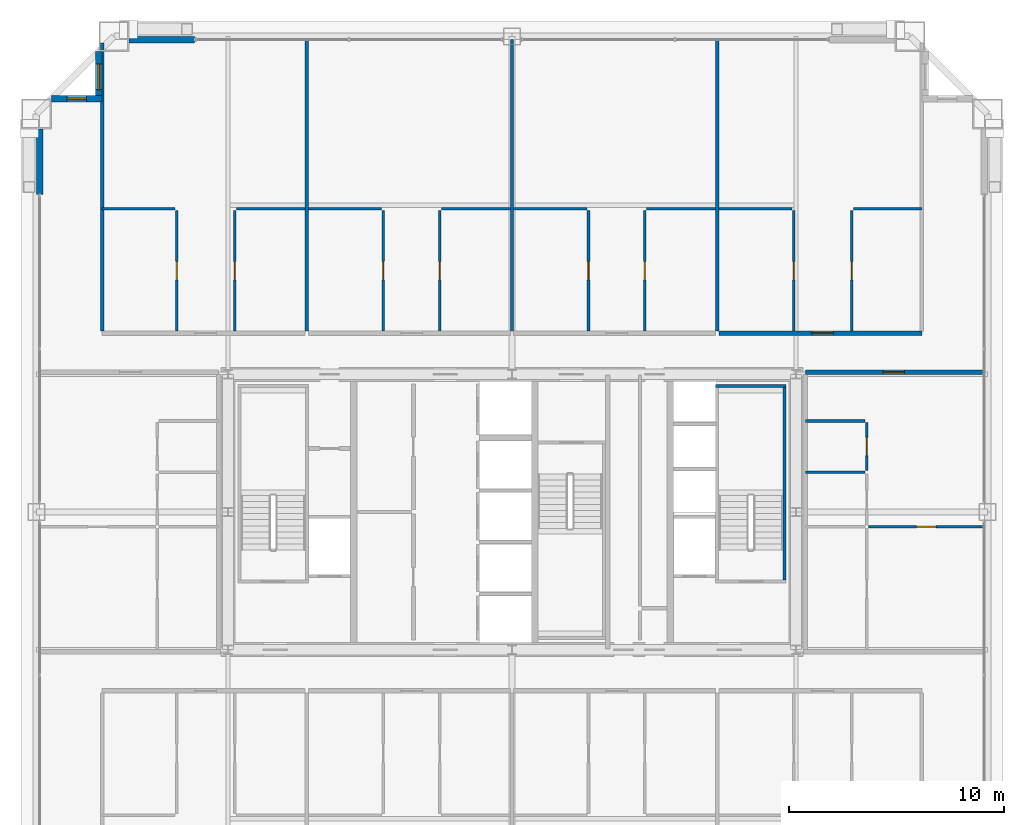
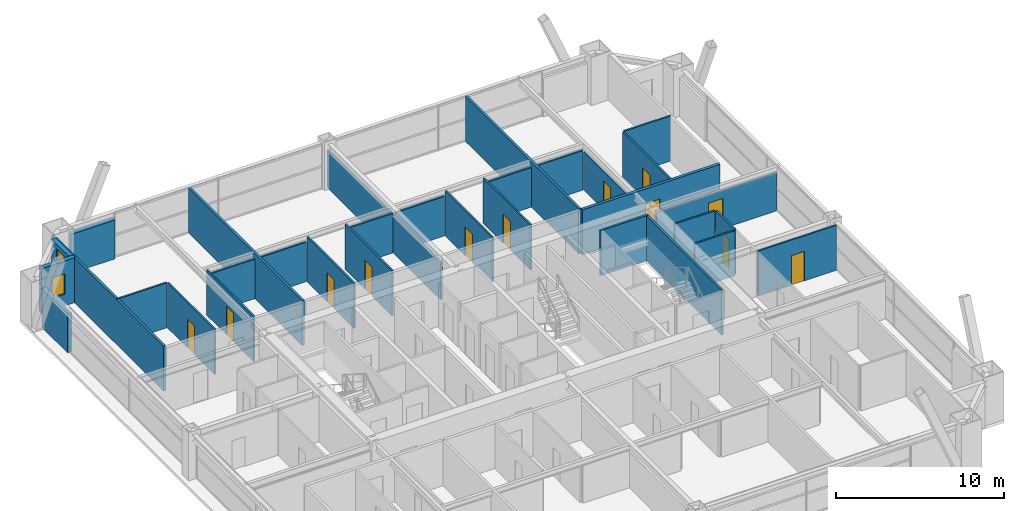
# One storey, part 40 of 42: 32 walls, 12 doors, 2 windows, 14 openings.
"""IFC4 building model written with IfcOpenShell, lengths in metres."""

from ifc_helpers import new_model, si_unit, direction, frame, frame_2d, origin, place, context, subcontext, project, spatial, rectangle, extrude, source, transform, mapped, material, layer, layer_set, type_object, element, fill, save


model = new_model("IFC4")

# Units and contexts
model_context = context("Model", 3, precision=1e-05, world=origin(), true_north=direction((0.0, 1.0)))
body_context = subcontext(model_context, "Body", "Model", "MODEL_VIEW")
ifc_project = project(units=[si_unit("LENGTHUNIT", "METRE"), si_unit("AREAUNIT", "SQUARE_METRE"), si_unit("VOLUMEUNIT", "CUBIC_METRE"), si_unit("PLANEANGLEUNIT", "RADIAN"), si_unit("MASSUNIT", "GRAM", prefix="KILO"), si_unit("THERMODYNAMICTEMPERATUREUNIT", "KELVIN"), si_unit("POWERUNIT", "WATT")], contexts=[model_context])

# Site, building, storey
site_placement = place(None, origin())
site = spatial("IfcSite", under=ifc_project, at=site_placement, CompositionType="ELEMENT")
building_placement = place(site_placement, origin())
building = spatial("IfcBuilding", under=site, at=building_placement, Name="Yuzanri Waterfront Tower", CompositionType="ELEMENT")
storey_placement = place(building_placement, frame((0.0, 0.0, 184.5)))
storey = spatial("IfcBuildingStorey", under=building, at=storey_placement, Name="L48", CompositionType="ELEMENT", Elevation=184.5)

# Wall, opening, door
ifc_material_1 = material(Name="Moisture-Resistant Gypsum Stud Wall", Category="gypsum")
ifc_layer_1 = layer(ifc_material_1, 0.1201171875)
ifc_layer_set_1 = layer_set([ifc_layer_1], Name="Moisture-Resistant Gypsum Stud Wall")
wall_type_1 = type_object("IfcWallType", Name="Bathroom and Kitchen Wet Partition 120", PredefinedType="PARTITIONING", material=ifc_layer_set_1)
wall_1_placement = place(storey_placement, frame((21.419921875, 34.2099609375, 0.0), z_axis=(0.0, 0.0, 1.0), x_axis=(0.0, 1.0, 0.0)))
wall_1 = element("IfcWall", 1, at=wall_1_placement, inside=storey, type_object=wall_type_1, Name="L48 Partition UW-L48-RN1-SUB-1-E", PredefinedType="PARTITIONING", context=body_context, shape_type="SweptSolid", body=[
    extrude(rectangle(XDim=5.610107421875, YDim=0.1201171875, at=frame_2d((2.80517578125, 0.0))), origin(), (0.0, 0.0, 1.0), 3.280029296875),
])
opening_1_placement = place(wall_1_placement, frame((2.3798828125, 0.0, 0.0)))
opening_1 = element("IfcOpeningElement", 2, at=opening_1_placement, cuts=wall_1, Name="Opening ID-0850", PredefinedType="OPENING", context=body_context, shape_type="SweptSolid", body=[
    extrude(rectangle(XDim=0.85009765625, YDim=2.10009765625, at=frame_2d((0.425048828125, 1.050048828125))), frame((0.0, 0.074951171875, 0.0), z_axis=(0.0, -1.0, 0.0), x_axis=(1.0, 0.0, 0.0)), (0.0, 0.0, 1.0), 0.14990234375),
])
ifc_material_2 = material(Name="Moisture-Resistant Lacquered Timber", Category="wood")
door_type_1 = type_object("IfcDoorType", Name="En-Suite Bathroom and Kitchen Swing Door 850x2100", OperationType="NOTDEFINED", PredefinedType="DOOR", material=ifc_material_2)
shared_shape_1 = source(origin(), body_context, "Body", "SweptSolid", [
    extrude(rectangle(XDim=0.85009765625, YDim=2.10009765625, at=frame_2d((0.425048828125, 1.050048828125))), frame((0.0, 0.02490234375, 0.0), z_axis=(0.0, -1.0, 0.0), x_axis=(1.0, 0.0, 0.0)), (0.0, 0.0, 1.0), 0.050048828125),
])
door_1_placement = place(opening_1_placement, origin())
door_1 = element("IfcDoor", 3, at=door_1_placement, inside=storey, type_object=door_type_1, Name="L48 Suite Interior Room Door", OperationType="SINGLE_SWING_RIGHT", OverallHeight=2.10009765625, OverallWidth=0.85009765625, PredefinedType="DOOR", context=body_context, shape_type="MappedRepresentation", body=[
    mapped(shared_shape_1, transform((0.0, 0.0, 0.0), scale=1.0)),
])
fill(opening_1, door_1)

wall_2_placement = place(storey_placement, frame((24.110107421875, 34.2099609375, 0.0), z_axis=(0.0, 0.0, 1.0), x_axis=(0.0, 1.0, 0.0)))
wall_2 = element("IfcWall", 4, at=wall_2_placement, inside=storey, type_object=wall_type_1, Name="L48 Partition UW-L48-RN1-SUB-2-W", PredefinedType="PARTITIONING", context=body_context, shape_type="SweptSolid", body=[
    extrude(rectangle(XDim=5.610107421875, YDim=0.1201171875, at=frame_2d((2.80517578125, 0.0))), origin(), (0.0, 0.0, 1.0), 3.280029296875),
])
opening_2_placement = place(wall_2_placement, frame((2.3798828125, 0.0, 0.0)))
opening_2 = element("IfcOpeningElement", 5, at=opening_2_placement, cuts=wall_2, Name="Opening ID-0850", PredefinedType="OPENING", context=body_context, shape_type="SweptSolid", body=[
    extrude(rectangle(XDim=0.85009765625, YDim=2.10009765625, at=frame_2d((0.425048828125, 1.050048828125))), frame((0.0, 0.074951171875, 0.0), z_axis=(0.0, -1.0, 0.0), x_axis=(1.0, 0.0, 0.0)), (0.0, 0.0, 1.0), 0.14990234375),
])
door_2_placement = place(opening_2_placement, origin())
door_2 = element("IfcDoor", 6, at=door_2_placement, inside=storey, type_object=door_type_1, Name="L48 Suite Interior Room Door", OperationType="SINGLE_SWING_LEFT", OverallHeight=2.10009765625, OverallWidth=0.85009765625, PredefinedType="DOOR", context=body_context, shape_type="MappedRepresentation", body=[
    mapped(shared_shape_1, transform((0.0, 0.0, 0.0), scale=1.0)),
])
fill(opening_2, door_2)

wall_3_placement = place(storey_placement, frame((31.02392578125, 34.2099609375, 0.0), z_axis=(0.0, 0.0, 1.0), x_axis=(0.0, 1.0, 0.0)))
wall_3 = element("IfcWall", 7, at=wall_3_placement, inside=storey, type_object=wall_type_1, Name="L48 Partition UW-L48-RN2-SUB-1-E", PredefinedType="PARTITIONING", context=body_context, shape_type="SweptSolid", body=[
    extrude(rectangle(XDim=5.610107421875, YDim=0.1201171875, at=frame_2d((2.80517578125, 0.0))), origin(), (0.0, 0.0, 1.0), 3.280029296875),
])
opening_3_placement = place(wall_3_placement, frame((2.3798828125, 0.0, 0.0)))
opening_3 = element("IfcOpeningElement", 8, at=opening_3_placement, cuts=wall_3, Name="Opening ID-0850", PredefinedType="OPENING", context=body_context, shape_type="SweptSolid", body=[
    extrude(rectangle(XDim=0.85009765625, YDim=2.10009765625, at=frame_2d((0.425048828125, 1.050048828125))), frame((0.0, 0.074951171875, 0.0), z_axis=(0.0, -1.0, 0.0), x_axis=(1.0, 0.0, 0.0)), (0.0, 0.0, 1.0), 0.14990234375),
])
door_3_placement = place(opening_3_placement, origin())
door_3 = element("IfcDoor", 9, at=door_3_placement, inside=storey, type_object=door_type_1, Name="L48 Suite Interior Room Door", OperationType="SINGLE_SWING_LEFT", OverallHeight=2.10009765625, OverallWidth=0.85009765625, PredefinedType="DOOR", context=body_context, shape_type="MappedRepresentation", body=[
    mapped(shared_shape_1, transform((0.0, 0.0, 0.0), scale=1.0)),
])
fill(opening_3, door_3)

wall_4_placement = place(storey_placement, frame((33.639892578125, 34.2099609375, 0.0), z_axis=(0.0, 0.0, 1.0), x_axis=(0.0, 1.0, 0.0)))
wall_4 = element("IfcWall", 10, at=wall_4_placement, inside=storey, type_object=wall_type_1, Name="L48 Partition UW-L48-RN2-SUB-2-W", PredefinedType="PARTITIONING", context=body_context, shape_type="SweptSolid", body=[
    extrude(rectangle(XDim=5.610107421875, YDim=0.1201171875, at=frame_2d((2.80517578125, 0.0))), origin(), (0.0, 0.0, 1.0), 3.280029296875),
])
opening_4_placement = place(wall_4_placement, frame((2.3798828125, 0.0, 0.0)))
opening_4 = element("IfcOpeningElement", 11, at=opening_4_placement, cuts=wall_4, Name="Opening ID-0850", PredefinedType="OPENING", context=body_context, shape_type="SweptSolid", body=[
    extrude(rectangle(XDim=0.85009765625, YDim=2.10009765625, at=frame_2d((0.425048828125, 1.050048828125))), frame((0.0, 0.074951171875, 0.0), z_axis=(0.0, -1.0, 0.0), x_axis=(1.0, 0.0, 0.0)), (0.0, 0.0, 1.0), 0.14990234375),
])
door_4_placement = place(opening_4_placement, origin())
door_4 = element("IfcDoor", 12, at=door_4_placement, inside=storey, type_object=door_type_1, Name="L48 Suite Interior Room Door", OperationType="SINGLE_SWING_RIGHT", OverallHeight=2.10009765625, OverallWidth=0.85009765625, PredefinedType="DOOR", context=body_context, shape_type="MappedRepresentation", body=[
    mapped(shared_shape_1, transform((0.0, 0.0, 0.0), scale=1.0)),
])
fill(opening_4, door_4)

wall_5_placement = place(storey_placement, frame((40.553955078125, 34.2099609375, 0.0), z_axis=(0.0, 0.0, 1.0), x_axis=(0.0, 1.0, 0.0)))
wall_5 = element("IfcWall", 13, at=wall_5_placement, inside=storey, type_object=wall_type_1, Name="L48 Partition UW-L48-RN3-SUB-1-E", PredefinedType="PARTITIONING", context=body_context, shape_type="SweptSolid", body=[
    extrude(rectangle(XDim=5.610107421875, YDim=0.1201171875, at=frame_2d((2.80517578125, 0.0))), origin(), (0.0, 0.0, 1.0), 3.280029296875),
])
opening_5_placement = place(wall_5_placement, frame((2.3798828125, 0.0, 0.0)))
opening_5 = element("IfcOpeningElement", 14, at=opening_5_placement, cuts=wall_5, Name="Opening ID-0850", PredefinedType="OPENING", context=body_context, shape_type="SweptSolid", body=[
    extrude(rectangle(XDim=0.85009765625, YDim=2.10009765625, at=frame_2d((0.425048828125, 1.050048828125))), frame((0.0, 0.074951171875, 0.0), z_axis=(0.0, -1.0, 0.0), x_axis=(1.0, 0.0, 0.0)), (0.0, 0.0, 1.0), 0.14990234375),
])
door_5_placement = place(opening_5_placement, origin())
door_5 = element("IfcDoor", 15, at=door_5_placement, inside=storey, type_object=door_type_1, Name="L48 Suite Interior Room Door", OperationType="SINGLE_SWING_RIGHT", OverallHeight=2.10009765625, OverallWidth=0.85009765625, PredefinedType="DOOR", context=body_context, shape_type="MappedRepresentation", body=[
    mapped(shared_shape_1, transform((0.0, 0.0, 0.0), scale=1.0)),
])
fill(opening_5, door_5)

wall_6_placement = place(storey_placement, frame((43.169921875, 34.2099609375, 0.0), z_axis=(0.0, 0.0, 1.0), x_axis=(0.0, 1.0, 0.0)))
wall_6 = element("IfcWall", 16, at=wall_6_placement, inside=storey, type_object=wall_type_1, Name="L48 Partition UW-L48-RN3-SUB-2-W", PredefinedType="PARTITIONING", context=body_context, shape_type="SweptSolid", body=[
    extrude(rectangle(XDim=5.610107421875, YDim=0.1201171875, at=frame_2d((2.80517578125, 0.0))), origin(), (0.0, 0.0, 1.0), 3.280029296875),
])
opening_6_placement = place(wall_6_placement, frame((2.3798828125, 0.0, 0.0)))
opening_6 = element("IfcOpeningElement", 17, at=opening_6_placement, cuts=wall_6, Name="Opening ID-0850", PredefinedType="OPENING", context=body_context, shape_type="SweptSolid", body=[
    extrude(rectangle(XDim=0.85009765625, YDim=2.10009765625, at=frame_2d((0.425048828125, 1.050048828125))), frame((0.0, 0.074951171875, 0.0), z_axis=(0.0, -1.0, 0.0), x_axis=(1.0, 0.0, 0.0)), (0.0, 0.0, 1.0), 0.14990234375),
])
door_6_placement = place(opening_6_placement, origin())
door_6 = element("IfcDoor", 18, at=door_6_placement, inside=storey, type_object=door_type_1, Name="L48 Suite Interior Room Door", OperationType="SINGLE_SWING_LEFT", OverallHeight=2.10009765625, OverallWidth=0.85009765625, PredefinedType="DOOR", context=body_context, shape_type="MappedRepresentation", body=[
    mapped(shared_shape_1, transform((0.0, 0.0, 0.0), scale=1.0)),
])
fill(opening_6, door_6)

wall_7_placement = place(storey_placement, frame((50.090087890625, 34.2099609375, 0.0), z_axis=(0.0, 0.0, 1.0), x_axis=(0.0, 1.0, 0.0)))
wall_7 = element("IfcWall", 19, at=wall_7_placement, inside=storey, type_object=wall_type_1, Name="L48 Partition UW-L48-RN4-SUB-1-E", PredefinedType="PARTITIONING", context=body_context, shape_type="SweptSolid", body=[
    extrude(rectangle(XDim=5.610107421875, YDim=0.1201171875, at=frame_2d((2.80517578125, 0.0))), origin(), (0.0, 0.0, 1.0), 2.77490234375),
])
opening_7_placement = place(wall_7_placement, frame((2.3798828125, 0.0, 0.0)))
opening_7 = element("IfcOpeningElement", 20, at=opening_7_placement, cuts=wall_7, Name="Opening ID-0850", PredefinedType="OPENING", context=body_context, shape_type="SweptSolid", body=[
    extrude(rectangle(XDim=0.85009765625, YDim=2.10009765625, at=frame_2d((0.425048828125, 1.050048828125))), frame((0.0, 0.074951171875, 0.0), z_axis=(0.0, -1.0, 0.0), x_axis=(1.0, 0.0, 0.0)), (0.0, 0.0, 1.0), 0.14990234375),
])
door_7_placement = place(opening_7_placement, origin())
door_7 = element("IfcDoor", 21, at=door_7_placement, inside=storey, type_object=door_type_1, Name="L48 Suite Interior Room Door", OperationType="SINGLE_SWING_LEFT", OverallHeight=2.10009765625, OverallWidth=0.85009765625, PredefinedType="DOOR", context=body_context, shape_type="MappedRepresentation", body=[
    mapped(shared_shape_1, transform((0.0, 0.0, 0.0), scale=1.0)),
])
fill(opening_7, door_7)

wall_8_placement = place(storey_placement, frame((52.780029296875, 34.2099609375, 0.0), z_axis=(0.0, 0.0, 1.0), x_axis=(0.0, 1.0, 0.0)))
wall_8 = element("IfcWall", 22, at=wall_8_placement, inside=storey, type_object=wall_type_1, Name="L48 Partition UW-L48-RN4-SUB-2-W", PredefinedType="PARTITIONING", context=body_context, shape_type="SweptSolid", body=[
    extrude(rectangle(XDim=5.610107421875, YDim=0.1201171875, at=frame_2d((2.80517578125, 0.0))), origin(), (0.0, 0.0, 1.0), 3.280029296875),
])
opening_8_placement = place(wall_8_placement, frame((2.3798828125, 0.0, 0.0)))
opening_8 = element("IfcOpeningElement", 23, at=opening_8_placement, cuts=wall_8, Name="Opening ID-0850", PredefinedType="OPENING", context=body_context, shape_type="SweptSolid", body=[
    extrude(rectangle(XDim=0.85009765625, YDim=2.10009765625, at=frame_2d((0.425048828125, 1.050048828125))), frame((0.0, 0.074951171875, 0.0), z_axis=(0.0, -1.0, 0.0), x_axis=(1.0, 0.0, 0.0)), (0.0, 0.0, 1.0), 0.14990234375),
])
door_8_placement = place(opening_8_placement, origin())
door_8 = element("IfcDoor", 24, at=door_8_placement, inside=storey, type_object=door_type_1, Name="L48 Suite Interior Room Door", OperationType="SINGLE_SWING_RIGHT", OverallHeight=2.10009765625, OverallWidth=0.85009765625, PredefinedType="DOOR", context=body_context, shape_type="MappedRepresentation", body=[
    mapped(shared_shape_1, transform((0.0, 0.0, 0.0), scale=1.0)),
])
fill(opening_8, door_8)

wall_9_placement = place(storey_placement, frame((53.47998046875, 27.73193359375, 0.0), z_axis=(0.0, 0.0, 1.0), x_axis=(0.0, 1.0, 0.0)))
wall_9 = element("IfcWall", 25, at=wall_9_placement, inside=storey, type_object=wall_type_1, Name="L48 Partition UW-L48-RE1-SUB-2-E", PredefinedType="PARTITIONING", context=body_context, shape_type="SweptSolid", body=[
    extrude(rectangle(XDim=2.218994140625, YDim=0.1201171875, at=frame_2d((1.109375, 0.0))), origin(), (0.0, 0.0, 1.0), 3.280029296875),
])
opening_9_placement = place(wall_9_placement, frame((0.6845703125, 0.0, 0.0)))
opening_9 = element("IfcOpeningElement", 26, at=opening_9_placement, cuts=wall_9, Name="Opening ID-0850", PredefinedType="OPENING", context=body_context, shape_type="SweptSolid", body=[
    extrude(rectangle(XDim=0.85009765625, YDim=2.10009765625, at=frame_2d((0.425048828125, 1.050048828125))), frame((0.0, 0.074951171875, 0.0), z_axis=(0.0, -1.0, 0.0), x_axis=(1.0, 0.0, 0.0)), (0.0, 0.0, 1.0), 0.14990234375),
])
door_9_placement = place(opening_9_placement, origin())
door_9 = element("IfcDoor", 27, at=door_9_placement, inside=storey, type_object=door_type_1, Name="L48 Suite Interior Room Door", OperationType="SINGLE_SWING_RIGHT", OverallHeight=2.10009765625, OverallWidth=0.85009765625, PredefinedType="DOOR", context=body_context, shape_type="MappedRepresentation", body=[
    mapped(shared_shape_1, transform((0.0, 0.0, 0.0), scale=1.0)),
])
fill(opening_9, door_9)

wall_10_placement = place(storey_placement, frame((53.56005859375, 25.113037109375, 0.0), z_axis=(0.0, 0.0, 1.0), x_axis=(1.0, 0.0, 0.0)))
wall_10 = element("IfcWall", 28, at=wall_10_placement, inside=storey, type_object=wall_type_1, Name="L48 Partition UW-L48-RE1-SUB-3-N", PredefinedType="PARTITIONING", context=body_context, shape_type="SweptSolid", body=[
    extrude(rectangle(XDim=5.389892578125, YDim=0.1201171875, at=frame_2d((2.69482421875, 0.0))), origin(), (0.0, 0.0, 1.0), 3.280029296875),
])
opening_10_placement = place(wall_10_placement, frame((2.2451171875, 0.0, 0.0)))
opening_10 = element("IfcOpeningElement", 29, at=opening_10_placement, cuts=wall_10, Name="Opening ID-0900", PredefinedType="OPENING", context=body_context, shape_type="SweptSolid", body=[
    extrude(rectangle(XDim=0.89990234375, YDim=2.14990234375, at=frame_2d((0.449951171875, 1.074951171875))), frame((0.0, 0.074951171875, 0.0), z_axis=(0.0, -1.0, 0.0), x_axis=(1.0, 0.0, 0.0)), (0.0, 0.0, 1.0), 0.14990234375),
])
ifc_material_3 = material(Name="Stained Walnut Veneer Timber", Category="wood")
door_type_2 = type_object("IfcDoorType", Name="Bedroom and Study Interior Swing Door 900x2150", OperationType="NOTDEFINED", PredefinedType="DOOR", material=ifc_material_3)
shared_shape_2 = source(origin(), body_context, "Body", "SweptSolid", [
    extrude(rectangle(XDim=0.89990234375, YDim=2.14990234375, at=frame_2d((0.449951171875, 1.074951171875))), frame((0.0, 0.02490234375, 0.0), z_axis=(0.0, -1.0, 0.0), x_axis=(1.0, 0.0, 0.0)), (0.0, 0.0, 1.0), 0.050048828125),
])
door_10_placement = place(opening_10_placement, origin())
door_10 = element("IfcDoor", 30, at=door_10_placement, inside=storey, type_object=door_type_2, Name="L48 Suite Interior Room Door", OperationType="SINGLE_SWING_LEFT", OverallHeight=2.14990234375, OverallWidth=0.89990234375, PredefinedType="DOOR", context=body_context, shape_type="MappedRepresentation", body=[
    mapped(shared_shape_2, transform((0.0, 0.0, 0.0), scale=1.0)),
])
fill(opening_10, door_10)

# Wall, opening, window
ifc_material_4 = material(Name="Honed Chongqing Dark Basalt Stone", Category="masonry")
ifc_layer_2 = layer(ifc_material_4, 0.300048828125)
ifc_layer_set_2 = layer_set([ifc_layer_2], Name="Honed Chongqing Dark Basalt Stone")
wall_type_2 = type_object("IfcWallType", Name="Bronze Rainscreen Insulated Spandrel Portal Wall 300", PredefinedType="SOLIDWALL", material=ifc_layer_set_2)
wall_11_placement = place(storey_placement, frame((17.949951171875, 45.0, 0.0), z_axis=(0.0, 0.0, 1.0), x_axis=(-1.0, 0.0, 0.0)))
wall_11 = element("IfcWall", 31, at=wall_11_placement, inside=storey, type_object=wall_type_2, Name="L48 Notched Corner Masonry Wall NW-X", PredefinedType="SOLIDWALL", context=body_context, shape_type="SweptSolid", body=[
    extrude(rectangle(XDim=2.349853515625, YDim=0.300048828125, at=frame_2d((1.1748046875, 0.0))), origin(), (0.0, 0.0, 1.0), 3.280029296875),
])
opening_11_placement = place(wall_11_placement, frame((0.72509765625, 0.0, 0.85009765625)))
opening_11 = element("IfcOpeningElement", 32, at=opening_11_placement, cuts=wall_11, Name="Opening WN-05", PredefinedType="OPENING", context=body_context, shape_type="SweptSolid", body=[
    extrude(rectangle(XDim=0.89990234375, YDim=1.5, at=frame_2d((0.449951171875, 0.75))), frame((0.0, 0.1650390625, 0.0), z_axis=(0.0, -1.0, 0.0), x_axis=(1.0, 0.0, 0.0)), (0.0, 0.0, 1.0), 0.329833984375),
])
ifc_material_5 = material(Name="Double-Silver Low-E Insulated Glass", Category="glass")
window_type_1 = type_object("IfcWindowType", Name="Anodized Bronze Service and Stairwell Smoke-Vent Window 900x1500", PartitioningType="SINGLE_PANEL", PredefinedType="WINDOW", material=ifc_material_5)
shared_shape_3 = source(origin(), body_context, "Body", "SweptSolid", [
    extrude(rectangle(XDim=0.89990234375, YDim=1.5, at=frame_2d((0.449951171875, 0.75))), frame((0.0, 0.030029296875, 0.0), z_axis=(0.0, -1.0, 0.0), x_axis=(1.0, 0.0, 0.0)), (0.0, 0.0, 1.0), 0.06005859375),
])
window_1_placement = place(opening_11_placement, origin())
window_1 = element("IfcWindow", 33, at=window_1_placement, inside=storey, type_object=window_type_1, Name="L48 Notched Corner Window NW-X", OverallHeight=1.5, OverallWidth=0.89990234375, PartitioningType="SINGLE_PANEL", PredefinedType="WINDOW", context=body_context, shape_type="MappedRepresentation", body=[
    mapped(shared_shape_3, transform((0.0, 0.0, 0.0), scale=1.0)),
])
fill(opening_11, window_1)

wall_12_placement = place(storey_placement, frame((17.800048828125, 47.199951171875, 0.0), z_axis=(0.0, 0.0, 1.0), x_axis=(0.0, -1.0, 0.0)))
wall_12 = element("IfcWall", 34, at=wall_12_placement, inside=storey, type_object=wall_type_2, Name="L48 Notched Corner Masonry Wall NW-Y", PredefinedType="SOLIDWALL", context=body_context, shape_type="SweptSolid", body=[
    extrude(rectangle(XDim=2.349853515625, YDim=0.300048828125, at=frame_2d((1.1748046875, 0.0))), origin(), (0.0, 0.0, 1.0), 3.280029296875),
])
opening_12_placement = place(wall_12_placement, frame((0.574951171875, 0.0, 0.85009765625)))
opening_12 = element("IfcOpeningElement", 35, at=opening_12_placement, cuts=wall_12, Name="Opening WN-02", PredefinedType="OPENING", context=body_context, shape_type="SweptSolid", body=[
    extrude(rectangle(XDim=1.199951171875, YDim=2.10009765625, at=frame_2d((0.60009765625, 1.050048828125))), frame((0.0, 0.1650390625, 0.0), z_axis=(0.0, -1.0, 0.0), x_axis=(1.0, 0.0, 0.0)), (0.0, 0.0, 1.0), 0.329833984375),
])
ifc_material_6 = material(Name="Double-Silver Low-E Insulated Glass", Category="glass")
window_type_2 = type_object("IfcWindowType", Name="Anodized Bronze Notched Corner Deep-Set Slot Window 1200x2100", PartitioningType="SINGLE_PANEL", PredefinedType="WINDOW", material=ifc_material_6)
shared_shape_4 = source(origin(), body_context, "Body", "SweptSolid", [
    extrude(rectangle(XDim=1.199951171875, YDim=2.10009765625, at=frame_2d((0.60009765625, 1.050048828125))), frame((0.0, 0.030029296875, 0.0), z_axis=(0.0, -1.0, 0.0), x_axis=(1.0, 0.0, 0.0)), (0.0, 0.0, 1.0), 0.06005859375),
])
window_2_placement = place(opening_12_placement, origin())
window_2 = element("IfcWindow", 36, at=window_2_placement, inside=storey, type_object=window_type_2, Name="L48 Notched Corner Window NW-Y", OverallHeight=2.10009765625, OverallWidth=1.199951171875, PartitioningType="SINGLE_PANEL", PredefinedType="WINDOW", context=body_context, shape_type="MappedRepresentation", body=[
    mapped(shared_shape_4, transform((0.0, 0.0, 0.0), scale=1.0)),
])
fill(opening_12, window_2)

# Wall, opening, door
ifc_material_7 = material(Name="Autoclaved Aerated Concrete Blockwork", Category="masonry")
ifc_layer_3 = layer(ifc_material_7, 0.199951171875)
ifc_layer_set_3 = layer_set([ifc_layer_3], Name="Autoclaved Aerated Concrete Blockwork")
wall_type_3 = type_object("IfcWallType", Name="Corridor and Unit Party Fire Wall 200", PredefinedType="PARTITIONING", material=ifc_layer_set_3)
wall_13_placement = place(storey_placement, frame((46.610107421875, 34.110107421875, 0.0), z_axis=(0.0, 0.0, 1.0), x_axis=(1.0, 0.0, 0.0)))
wall_13 = element("IfcWall", 37, at=wall_13_placement, inside=storey, type_object=wall_type_3, Name="L48 Partition UW-L48-RN4-CS", PredefinedType="PARTITIONING", context=body_context, shape_type="SweptSolid", body=[
    extrude(rectangle(XDim=9.449951171875, YDim=0.199951171875, at=frame_2d((4.72509765625, 0.0))), origin(), (0.0, 0.0, 1.0), 3.280029296875),
])
opening_13_placement = place(wall_13_placement, frame((4.324951171875, 0.0, 0.0)))
opening_13 = element("IfcOpeningElement", 38, at=opening_13_placement, cuts=wall_13, Name="Opening FD-1000", PredefinedType="OPENING", context=body_context, shape_type="SweptSolid", body=[
    extrude(rectangle(XDim=1.0, YDim=2.199951171875, at=frame_2d((0.5, 1.10009765625))), frame((0.0, 0.11474609375, 0.0), z_axis=(0.0, -1.0, 0.0), x_axis=(1.0, 0.0, 0.0)), (0.0, 0.0, 1.0), 0.229736328125),
])
ifc_material_8 = material(Name="Engineered Oak Fire-Rated Timber", Category="wood")
door_type_3 = type_object("IfcDoorType", Name="Guestroom and Apartment Entrance Fire Door 1000x2200", OperationType="NOTDEFINED", PredefinedType="DOOR", material=ifc_material_8)
shared_shape_5 = source(origin(), body_context, "Body", "SweptSolid", [
    extrude(rectangle(XDim=1.0, YDim=2.199951171875, at=frame_2d((0.5, 1.10009765625))), frame((0.0, 0.02490234375, 0.0), z_axis=(0.0, -1.0, 0.0), x_axis=(1.0, 0.0, 0.0)), (0.0, 0.0, 1.0), 0.050048828125),
])
door_11_placement = place(opening_13_placement, origin())
door_11 = element("IfcDoor", 39, at=door_11_placement, inside=storey, type_object=door_type_3, Name="L48 Studio Living and Sleeping Room Entrance Door", OperationType="SINGLE_SWING_RIGHT", OverallHeight=2.199951171875, OverallWidth=1.0, PredefinedType="DOOR", context=body_context, shape_type="MappedRepresentation", body=[
    mapped(shared_shape_5, transform((0.0, 0.0, 0.0), scale=1.0)),
])
fill(opening_13, door_11)

wall_14_placement = place(storey_placement, frame((50.64990234375, 32.2900390625, 0.0), z_axis=(0.0, 0.0, 1.0), x_axis=(1.0, 0.0, 0.0)))
wall_14 = element("IfcWall", 40, at=wall_14_placement, inside=storey, type_object=wall_type_3, Name="L48 Partition UW-L48-RE1-CN", PredefinedType="PARTITIONING", context=body_context, shape_type="SweptSolid", body=[
    extrude(rectangle(XDim=8.300048828125, YDim=0.199951171875, at=frame_2d((4.14990234375, 0.0))), origin(), (0.0, 0.0, 1.0), 2.77490234375),
])
opening_14_placement = place(wall_14_placement, frame((3.5849609375, 0.0, 0.0)))
opening_14 = element("IfcOpeningElement", 41, at=opening_14_placement, cuts=wall_14, Name="Opening FD-1000", PredefinedType="OPENING", context=body_context, shape_type="SweptSolid", body=[
    extrude(rectangle(XDim=1.0, YDim=2.199951171875, at=frame_2d((0.5, 1.10009765625))), frame((0.0, 0.11474609375, 0.0), z_axis=(0.0, -1.0, 0.0), x_axis=(1.0, 0.0, 0.0)), (0.0, 0.0, 1.0), 0.229736328125),
])
door_12_placement = place(opening_14_placement, origin())
door_12 = element("IfcDoor", 42, at=door_12_placement, inside=storey, type_object=door_type_3, Name="L48 Wing Residence Living and Dining Room Entrance Door", OperationType="SINGLE_SWING_RIGHT", OverallHeight=2.199951171875, OverallWidth=1.0, PredefinedType="DOOR", context=body_context, shape_type="MappedRepresentation", body=[
    mapped(shared_shape_5, transform((0.0, 0.0, 0.0), scale=1.0)),
])
fill(opening_14, door_12)

# Walls
shared_shape_6 = source(origin(), body_context, "Body", "SweptSolid", [
    extrude(rectangle(XDim=3.050048828125, YDim=0.300048828125, at=frame_2d((1.52490234375, 0.0))), origin(), (0.0, 0.0, 1.0), 2.8349609375),
])
for number, where, z_axis, x_axis, name in (
    (43, (19.199951171875, 47.75, 0.0), (0.0, 0.0, 1.0), (1.0, 0.0, 0.0), "L48 N Left Braced Masonry Shoulder"),
    (44, (15.050048828125, 40.550048828125, 0.0), (0.0, 0.0, 1.0), (0.0, 1.0, 0.0), "L48 W Right Braced Masonry Shoulder"),
):
    element("IfcWall", number, at=place(storey_placement, frame(where, z_axis=z_axis, x_axis=x_axis)), inside=storey, type_object=wall_type_2, Name=name, PredefinedType="SOLIDWALL", context=body_context, shape_type="MappedRepresentation", body=[
        mapped(shared_shape_6, transform((0.0, 0.0, 0.0), scale=1.0)),
    ])
ifc_material_9 = material(Name="Concrete C40", Category="concrete")
ifc_layer_4 = layer(ifc_material_9, 0.139892578125)
ifc_layer_set_4 = layer_set([ifc_layer_4], Name="Concrete C40")
wall_type_4 = type_object("IfcWallType", Name="Core Stair Liner and Hoistway Shaft Wall 140", PredefinedType="SOLIDWALL", material=ifc_layer_set_4)
shared_shape_7 = source(origin(), body_context, "Body", "SweptSolid", [
    extrude(rectangle(XDim=3.280029296875, YDim=0.139892578125, at=frame_2d((1.64013671875, 0.0))), origin(), (0.0, 0.0, 1.0), 3.280029296875),
])
wall_15_placement = place(storey_placement, frame((46.4599609375, 31.64990234375, 0.0), z_axis=(0.0, 0.0, 1.0), x_axis=(1.0, 0.0, 0.0)))
element("IfcWall", 45, at=wall_15_placement, inside=storey, type_object=wall_type_4, Name="L48 Stair ST-02 North Shaft Wall", PredefinedType="SOLIDWALL", context=body_context, shape_type="MappedRepresentation", body=[
    mapped(shared_shape_7, transform((0.0, 0.0, 0.0), scale=1.0)),
])
shared_shape_8 = source(origin(), body_context, "Body", "SweptSolid", [
    extrude(rectangle(XDim=8.940185546875, YDim=0.139892578125, at=frame_2d((4.47021484375, 0.0))), origin(), (0.0, 0.0, 1.0), 3.280029296875),
])
wall_16_placement = place(storey_placement, frame((49.669921875, 22.639892578125, 0.0), z_axis=(0.0, 0.0, 1.0), x_axis=(0.0, 1.0, 0.0)))
element("IfcWall", 46, at=wall_16_placement, inside=storey, type_object=wall_type_4, Name="L48 Stair ST-02 East Shaft Wall", PredefinedType="SOLIDWALL", context=body_context, shape_type="MappedRepresentation", body=[
    mapped(shared_shape_8, transform((0.0, 0.0, 0.0), scale=1.0)),
])
shared_shape_9 = source(origin(), body_context, "Body", "SweptSolid", [
    extrude(rectangle(XDim=3.400146484375, YDim=0.1201171875, at=frame_2d((1.7001953125, 0.0))), origin(), (0.0, 0.0, 1.0), 3.280029296875),
])
wall_17_placement = place(storey_placement, frame((17.93994140625, 39.89990234375, 0.0), z_axis=(0.0, 0.0, 1.0), x_axis=(1.0, 0.0, 0.0)))
element("IfcWall", 47, at=wall_17_placement, inside=storey, type_object=wall_type_1, Name="L48 Partition UW-L48-RN1-SUB-1-N", PredefinedType="PARTITIONING", context=body_context, shape_type="MappedRepresentation", body=[
    mapped(shared_shape_9, transform((0.0, 0.0, 0.0), scale=1.0)),
])
shared_shape_10 = source(origin(), body_context, "Body", "SweptSolid", [
    extrude(rectangle(XDim=3.199951171875, YDim=0.1201171875, at=frame_2d((1.60009765625, 0.0))), origin(), (0.0, 0.0, 1.0), 2.875),
])
for number, where, z_axis, x_axis, name in (
    (48, (24.18994140625, 39.89990234375, 0.0), (0.0, 0.0, 1.0), (1.0, 0.0, 0.0), "L48 Partition UW-L48-RN1-SUB-2-N"),
    (49, (33.719970703125, 39.89990234375, 0.0), (0.0, 0.0, 1.0), (1.0, 0.0, 0.0), "L48 Partition UW-L48-RN2-SUB-2-N"),
    (50, (43.25, 39.89990234375, 0.0), (0.0, 0.0, 1.0), (1.0, 0.0, 0.0), "L48 Partition UW-L48-RN3-SUB-2-N"),
):
    element("IfcWall", number, at=place(storey_placement, frame(where, z_axis=z_axis, x_axis=x_axis)), inside=storey, type_object=wall_type_1, Name=name, PredefinedType="PARTITIONING", context=body_context, shape_type="MappedRepresentation", body=[
        mapped(shared_shape_10, transform((0.0, 0.0, 0.0), scale=1.0)),
    ])
shared_shape_11 = source(origin(), body_context, "Body", "SweptSolid", [
    extrude(rectangle(XDim=3.39404296875, YDim=0.1201171875, at=frame_2d((1.697021484375, 0.0))), origin(), (0.0, 0.0, 1.0), 2.875),
])
for number, where, z_axis, x_axis, name in (
    (51, (27.550048828125, 39.89990234375, 0.0), (0.0, 0.0, 1.0), (1.0, 0.0, 0.0), "L48 Partition UW-L48-RN2-SUB-1-N"),
    (52, (37.080078125, 39.89990234375, 0.0), (0.0, 0.0, 1.0), (1.0, 0.0, 0.0), "L48 Partition UW-L48-RN3-SUB-1-N"),
):
    element("IfcWall", number, at=place(storey_placement, frame(where, z_axis=z_axis, x_axis=x_axis)), inside=storey, type_object=wall_type_1, Name=name, PredefinedType="PARTITIONING", context=body_context, shape_type="MappedRepresentation", body=[
        mapped(shared_shape_11, transform((0.0, 0.0, 0.0), scale=1.0)),
    ])
shared_shape_12 = source(origin(), body_context, "Body", "SweptSolid", [
    extrude(rectangle(XDim=3.39990234375, YDim=0.1201171875, at=frame_2d((1.699951171875, 0.0))), origin(), (0.0, 0.0, 1.0), 2.875),
])
wall_18_placement = place(storey_placement, frame((46.610107421875, 39.89990234375, 0.0), z_axis=(0.0, 0.0, 1.0), x_axis=(1.0, 0.0, 0.0)))
element("IfcWall", 53, at=wall_18_placement, inside=storey, type_object=wall_type_1, Name="L48 Partition UW-L48-RN4-SUB-1-N", PredefinedType="PARTITIONING", context=body_context, shape_type="MappedRepresentation", body=[
    mapped(shared_shape_12, transform((0.0, 0.0, 0.0), scale=1.0)),
])
shared_shape_13 = source(origin(), body_context, "Body", "SweptSolid", [
    extrude(rectangle(XDim=3.199951171875, YDim=0.1201171875, at=frame_2d((1.60009765625, 0.0))), origin(), (0.0, 0.0, 1.0), 3.280029296875),
])
wall_19_placement = place(storey_placement, frame((52.860107421875, 39.89990234375, 0.0), z_axis=(0.0, 0.0, 1.0), x_axis=(1.0, 0.0, 0.0)))
element("IfcWall", 54, at=wall_19_placement, inside=storey, type_object=wall_type_1, Name="L48 Partition UW-L48-RN4-SUB-2-N", PredefinedType="PARTITIONING", context=body_context, shape_type="MappedRepresentation", body=[
    mapped(shared_shape_13, transform((0.0, 0.0, 0.0), scale=1.0)),
])
ifc_material_10 = material(Name="Gypsum Fireboard Acoustic Stud Wall", Category="gypsum")
ifc_layer_5 = layer(ifc_material_10, 0.159912109375)
ifc_layer_set_5 = layer_set([ifc_layer_5], Name="Gypsum Fireboard Acoustic Stud Wall")
wall_type_5 = type_object("IfcWallType", Name="Acoustic Suite Demising Partition 160", PredefinedType="PARTITIONING", material=ifc_layer_set_5)
shared_shape_14 = source(origin(), body_context, "Body", "SweptSolid", [
    extrude(rectangle(XDim=13.5400390625, YDim=0.159912109375, at=frame_2d((6.77001953125, 0.0))), origin(), (0.0, 0.0, 1.0), 3.280029296875),
])
for number, where, z_axis, x_axis, name in (
    (55, (27.469970703125, 34.2099609375, 0.0), (0.0, 0.0, 1.0), (0.0, 1.0, 0.0), "L48-RN1 Party Wall"),
    (56, (46.530029296875, 34.2099609375, 0.0), (0.0, 0.0, 1.0), (0.0, 1.0, 0.0), "L48-RN3 Party Wall"),
):
    element("IfcWall", number, at=place(storey_placement, frame(where, z_axis=z_axis, x_axis=x_axis)), inside=storey, type_object=wall_type_5, Name=name, PredefinedType="PARTITIONING", context=body_context, shape_type="MappedRepresentation", body=[
        mapped(shared_shape_14, transform((0.0, 0.0, 0.0), scale=1.0)),
    ])
shared_shape_15 = source(origin(), body_context, "Body", "SweptSolid", [
    extrude(rectangle(XDim=13.5400390625, YDim=0.159912109375, at=frame_2d((6.77001953125, 0.0))), origin(), (0.0, 0.0, 1.0), 2.68701171875),
])
wall_20_placement = place(storey_placement, frame((37.0, 34.2099609375, 0.0), z_axis=(0.0, 0.0, 1.0), x_axis=(0.0, 1.0, 0.0)))
element("IfcWall", 57, at=wall_20_placement, inside=storey, type_object=wall_type_5, Name="L48-RN2 Party Wall", PredefinedType="PARTITIONING", context=body_context, shape_type="MappedRepresentation", body=[
    mapped(shared_shape_15, transform((0.0, 0.0, 0.0), scale=1.0)),
])
shared_shape_16 = source(origin(), body_context, "Body", "SweptSolid", [
    extrude(rectangle(XDim=13.39013671875, YDim=0.159912109375, at=frame_2d((6.695068359375, 0.0))), origin(), (0.0, 0.0, 1.0), 3.280029296875),
])
wall_21_placement = place(storey_placement, frame((17.949951171875, 34.2099609375, 0.0), z_axis=(0.0, 0.0, 1.0), x_axis=(0.0, 1.0, 0.0)))
element("IfcWall", 58, at=wall_21_placement, inside=storey, type_object=wall_type_5, Name="L48 North Band West End Wall", PredefinedType="PARTITIONING", context=body_context, shape_type="MappedRepresentation", body=[
    mapped(shared_shape_16, transform((0.0, 0.0, 0.0), scale=1.0)),
])
shared_shape_17 = source(origin(), body_context, "Body", "SweptSolid", [
    extrude(rectangle(XDim=2.75, YDim=0.1201171875, at=frame_2d((1.375, 0.0))), origin(), (0.0, 0.0, 1.0), 3.280029296875),
])
for number, where, z_axis, x_axis, name in (
    (59, (50.64990234375, 27.652099609375, 0.0), (0.0, 0.0, 1.0), (1.0, 0.0, 0.0), "L48 Partition UW-L48-RE1-SUB-1-N"),
    (60, (50.64990234375, 30.031005859375, 0.0), (0.0, 0.0, 1.0), (1.0, 0.0, 0.0), "L48 Partition UW-L48-RE1-SUB-2-N"),
):
    element("IfcWall", number, at=place(storey_placement, frame(where, z_axis=z_axis, x_axis=x_axis)), inside=storey, type_object=wall_type_1, Name=name, PredefinedType="PARTITIONING", context=body_context, shape_type="MappedRepresentation", body=[
        mapped(shared_shape_17, transform((0.0, 0.0, 0.0), scale=1.0)),
    ])

save(model, "model.ifc")
